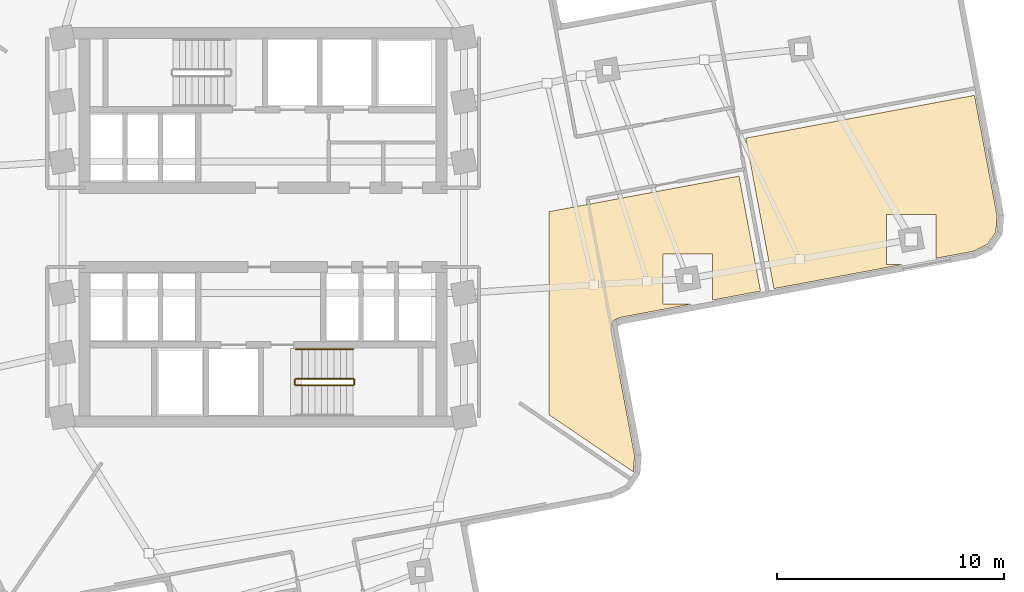
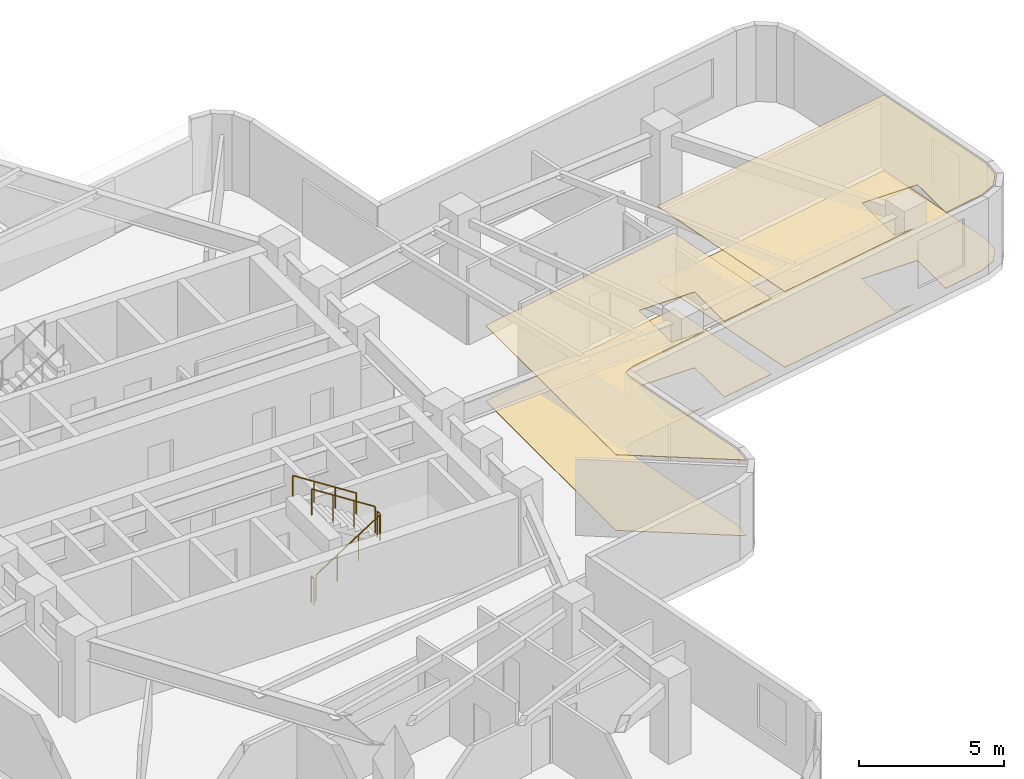
# One storey, part 11 of 12: 5 railings, 4 coverings.
"""IFC4 building model written with IfcOpenShell, lengths in metres."""

from ifc_helpers import new_model, si_unit, direction, frame, origin, origin_2d, place, context, subcontext, project, spatial, polyline, circle, outline, extrude, material, layer, layer_set, type_object, element, save


model = new_model("IFC4")

# Units and contexts
model_context = context("Model", 3, precision=1e-05, world=origin(), true_north=direction((0.0, 1.0)))
body_context = subcontext(model_context, "Body", "Model", "MODEL_VIEW")
ifc_project = project(units=[si_unit("LENGTHUNIT", "METRE"), si_unit("AREAUNIT", "SQUARE_METRE"), si_unit("VOLUMEUNIT", "CUBIC_METRE"), si_unit("PLANEANGLEUNIT", "RADIAN"), si_unit("MASSUNIT", "GRAM", prefix="KILO")], contexts=[model_context])

# Site, building, storey
site_placement = place(None, origin())
site = spatial("IfcSite", under=ifc_project, at=site_placement, CompositionType="ELEMENT")
building_placement = place(site_placement, origin())
building = spatial("IfcBuilding", under=site, at=building_placement, Name="Solmarez Civic Tower", CompositionType="ELEMENT")
storey_placement = place(building_placement, frame((0.0, 0.0, 103.679931640625)))
storey = spatial("IfcBuildingStorey", under=building, at=storey_placement, Name="L27", CompositionType="ELEMENT", Elevation=103.679931640625)

# Coverings
ifc_material_1 = material(Name="Perforated Mineral-Fibre Acoustic Ceiling")
ifc_layer_1 = layer(ifc_material_1, 0.02490234375)
ifc_layer_set_1 = layer_set([ifc_layer_1], Name="Perforated Mineral-Fibre Acoustic Ceiling")
covering_type_1 = type_object("IfcCoveringType", Name="COV-CEIL-ACOUSTIC", PredefinedType="CEILING", material=ifc_layer_set_1)
covering_1_placement = place(storey_placement, frame((0.0, 0.0, 3.175048828125)))
element("IfcCovering", 1, at=covering_1_placement, inside=storey, type_object=covering_type_1, Name="L27 Suspended Acoustic Ceiling 3", PredefinedType="CEILING", context=body_context, shape_type="SweptSolid", body=[
    extrude(outline(polyline([(12.60009765625, 0.68896484375), (12.60009765625, -8.260986328125), (16.322998046875, -10.781005859375), (16.326904296875, -10.77490234375), (16.381103515625, -10.069091796875), (15.35205078125, -4.56396484375), (15.35009765625, -4.554931640625), (15.34912109375, -4.548095703125), (15.346923828125, -4.51708984375), (15.346923828125, -4.5029296875), (15.347900390625, -4.486083984375), (15.361083984375, -4.31494140625), (15.362060546875, -4.304931640625), (15.363037109375, -4.297119140625), (15.364990234375, -4.280029296875), (15.368896484375, -4.263916015625), (15.37109375, -4.257080078125), (15.373046875, -4.25), (15.383056640625, -4.222900390625), (15.385986328125, -4.216064453125), (15.39697265625, -4.194091796875), (15.40087890625, -4.18701171875), (15.408935546875, -4.174072265625), (15.4130859375, -4.16796875), (15.427001953125, -4.14892578125), (15.431884765625, -4.14306640625), (15.43701171875, -4.136962890625), (15.450927734375, -4.1220703125), (15.467041015625, -4.10693359375), (15.47802734375, -4.09912109375), (15.493896484375, -4.0869140625), (15.511962890625, -4.075927734375), (15.533935546875, -4.06591796875), (15.68408203125, -3.992919921875), (15.701904296875, -3.985107421875), (15.722900390625, -3.97802734375), (15.73291015625, -3.97509765625), (15.739990234375, -3.972900390625), (15.760009765625, -3.968994140625), (18.952880859375, -3.37109375), (17.6240234375, -3.37109375), (17.6240234375, -1.1708984375), (19.823974609375, -1.1708984375), (19.823974609375, -3.2080078125), (21.931884765625, -2.81298828125), (20.98193359375, 2.258056640625), (12.60009765625, 0.68896484375)])), origin(), (0.0, 0.0, 1.0), 0.02490234375),
])
covering_2_placement = place(storey_placement, frame((0.0, 0.0, 3.175048828125)))
element("IfcCovering", 2, at=covering_2_placement, inside=storey, type_object=covering_type_1, Name="L27 Suspended Acoustic Ceiling 4", PredefinedType="CEILING", context=body_context, shape_type="SweptSolid", body=[
    extrude(outline(polyline([(22.52197265625, -2.702880859375), (28.239990234375, -1.633056640625), (27.47607421875, -1.633056640625), (27.47607421875, 0.56689453125), (29.676025390625, 0.56689453125), (29.676025390625, -1.364013671875), (31.2900390625, -1.06201171875), (31.928955078125, -0.756103515625), (32.305908203125, -0.205078125), (32.360107421875, 0.5009765625), (31.364990234375, 5.819091796875), (21.280029296875, 3.930908203125), (22.52197265625, -2.702880859375)])), origin(), (0.0, 0.0, 1.0), 0.02490234375),
])
ifc_material_2 = material(Name="Polished Tropical Stone Terrazzo Flooring", Category="masonry")
ifc_layer_2 = layer(ifc_material_2, 0.02001953125)
ifc_layer_set_2 = layer_set([ifc_layer_2], Name="Polished Tropical Stone Terrazzo Flooring")
covering_type_2 = type_object("IfcCoveringType", Name="COV-FLOOR-TERRAZZO", PredefinedType="FLOORING", material=ifc_layer_set_2)
covering_3_placement = place(storey_placement, origin())
element("IfcCovering", 3, at=covering_3_placement, inside=storey, type_object=covering_type_2, Name="L27 Terrazzo Floor Finish 3", PredefinedType="FLOORING", context=body_context, shape_type="SweptSolid", body=[
    extrude(outline(polyline([(12.60009765625, 0.68896484375), (12.60009765625, -8.260986328125), (16.322998046875, -10.781005859375), (16.326904296875, -10.77490234375), (16.381103515625, -10.069091796875), (15.35205078125, -4.56396484375), (15.35009765625, -4.554931640625), (15.34912109375, -4.548095703125), (15.346923828125, -4.51708984375), (15.346923828125, -4.5029296875), (15.347900390625, -4.486083984375), (15.361083984375, -4.31494140625), (15.362060546875, -4.304931640625), (15.363037109375, -4.297119140625), (15.364990234375, -4.280029296875), (15.368896484375, -4.263916015625), (15.37109375, -4.257080078125), (15.373046875, -4.25), (15.383056640625, -4.222900390625), (15.385986328125, -4.216064453125), (15.39697265625, -4.194091796875), (15.40087890625, -4.18701171875), (15.408935546875, -4.174072265625), (15.4130859375, -4.16796875), (15.427001953125, -4.14892578125), (15.431884765625, -4.14306640625), (15.43701171875, -4.136962890625), (15.450927734375, -4.1220703125), (15.467041015625, -4.10693359375), (15.47802734375, -4.09912109375), (15.493896484375, -4.0869140625), (15.511962890625, -4.075927734375), (15.533935546875, -4.06591796875), (15.68408203125, -3.992919921875), (15.701904296875, -3.985107421875), (15.722900390625, -3.97802734375), (15.73291015625, -3.97509765625), (15.739990234375, -3.972900390625), (15.760009765625, -3.968994140625), (18.952880859375, -3.37109375), (17.6240234375, -3.37109375), (17.6240234375, -1.1708984375), (19.823974609375, -1.1708984375), (19.823974609375, -3.2080078125), (21.931884765625, -2.81298828125), (20.98193359375, 2.258056640625), (12.60009765625, 0.68896484375)])), origin(), (0.0, 0.0, 1.0), 0.02001953125),
])
covering_4_placement = place(storey_placement, origin())
element("IfcCovering", 4, at=covering_4_placement, inside=storey, type_object=covering_type_2, Name="L27 Terrazzo Floor Finish 4", PredefinedType="FLOORING", context=body_context, shape_type="SweptSolid", body=[
    extrude(outline(polyline([(22.52197265625, -2.702880859375), (28.239990234375, -1.633056640625), (27.47607421875, -1.633056640625), (27.47607421875, 0.56689453125), (29.676025390625, 0.56689453125), (29.676025390625, -1.364013671875), (31.2900390625, -1.06201171875), (31.928955078125, -0.756103515625), (32.305908203125, -0.205078125), (32.360107421875, 0.5009765625), (31.364990234375, 5.819091796875), (21.280029296875, 3.930908203125), (22.52197265625, -2.702880859375)])), origin(), (0.0, 0.0, 1.0), 0.02001953125),
])

# Railings
ifc_material_3 = material(Name="Painted Steel Stairwell Safety Guard", Category="steel")
railing_type_1 = type_object("IfcRailingType", Name="GUARD-STAIR-1120", PredefinedType="BALUSTRADE", material=ifc_material_3)
railing_1_placement = place(storey_placement, frame((1.449951171875, -6.969970703125, 0.18017578125)))
element("IfcRailing", 5, at=railing_1_placement, inside=storey, type_object=railing_type_1, Name="L27 ST-2 stair guard 1", PredefinedType="BALUSTRADE", context=body_context, shape_type="SweptSolid", body=[
    extrude(circle(Radius=0.02392578125, at=origin_2d()), frame((0.0, 0.0, 1.09619140625), z_axis=(0.841199657755, 0.0, 0.540724639528), x_axis=(0.0, 1.0, 0.0)), (0.0, 0.0, 1.0), 2.995849609375),
    extrude(circle(Radius=0.02099609375, at=origin_2d()), origin(), (0.0, 0.0, 1.0), 1.072021484375),
    extrude(circle(Radius=0.02099609375, at=origin_2d()), frame((0.840087890625, 0.0, 0.5400390625)), (0.0, 0.0, 1.0), 1.072021484375),
    extrude(circle(Radius=0.02099609375, at=origin_2d()), frame((1.679931640625, 0.0, 1.079833984375)), (0.0, 0.0, 1.0), 1.072021484375),
    extrude(circle(Radius=0.02099609375, at=origin_2d()), frame((2.52001953125, 0.0, 1.619873046875)), (0.0, 0.0, 1.0), 1.072021484375),
])
railing_2_placement = place(storey_placement, frame((4.02001953125, -6.919921875, 1.800048828125)))
element("IfcRailing", 6, at=railing_2_placement, inside=storey, type_object=railing_type_1, Name="L27 ST-2 stair guard 2", PredefinedType="BALUSTRADE", context=body_context, shape_type="SweptSolid", body=[
    extrude(circle(Radius=0.02392578125, at=origin_2d()), frame((0.0, 0.0, 1.09619140625), z_axis=(0.0, 1.0, 0.0), x_axis=(-1.0, 0.0, 0.0)), (0.0, 0.0, 1.0), 0.199951171875),
    extrude(circle(Radius=0.02099609375, at=origin_2d()), origin(), (0.0, 0.0, 1.0), 1.072021484375),
    extrude(circle(Radius=0.02099609375, at=origin_2d()), frame((0.0, 0.199951171875, 0.0)), (0.0, 0.0, 1.0), 1.072021484375),
])
railing_3_placement = place(storey_placement, frame((3.969970703125, -6.669921875, 1.97998046875)))
element("IfcRailing", 7, at=railing_3_placement, inside=storey, type_object=railing_type_1, Name="L27 ST-2 stair guard 3", PredefinedType="BALUSTRADE", context=body_context, shape_type="SweptSolid", body=[
    extrude(circle(Radius=0.02392578125, at=origin_2d()), frame((0.0, 0.0, 1.09619140625), z_axis=(-0.841162588446, 0.0, 0.540782303519), x_axis=(0.0, -1.0, 0.0)), (0.0, 0.0, 1.0), 2.995849609375),
    extrude(circle(Radius=0.02099609375, at=origin_2d()), origin(), (0.0, 0.0, 1.0), 1.072021484375),
    extrude(circle(Radius=0.02099609375, at=origin_2d()), frame((-0.840087890625, 0.0, 0.5400390625)), (0.0, 0.0, 1.0), 1.072021484375),
    extrude(circle(Radius=0.02099609375, at=origin_2d()), frame((-1.679931640625, 0.0, 1.080078125)), (0.0, 0.0, 1.0), 1.072021484375),
    extrude(circle(Radius=0.02099609375, at=origin_2d()), frame((-2.52001953125, 0.0, 1.6201171875)), (0.0, 0.0, 1.0), 1.072021484375),
])
railing_4_placement = place(storey_placement, frame((1.39990234375, -6.919921875, 0.0)))
element("IfcRailing", 8, at=railing_4_placement, inside=storey, type_object=railing_type_1, Name="L27 ST-2 stair guard 4", PredefinedType="BALUSTRADE", context=body_context, shape_type="SweptSolid", body=[
    extrude(circle(Radius=0.02392578125, at=origin_2d()), frame((0.0, 0.0, 1.09619140625), z_axis=(0.0, 1.0, 0.0), x_axis=(-1.0, 0.0, 0.0)), (0.0, 0.0, 1.0), 0.199951171875),
    extrude(circle(Radius=0.02099609375, at=origin_2d()), origin(), (0.0, 0.0, 1.0), 1.072021484375),
    extrude(circle(Radius=0.02099609375, at=origin_2d()), frame((0.0, 0.199951171875, 0.0)), (0.0, 0.0, 1.0), 1.072021484375),
])
ifc_material_4 = material(Name="Brushed Stainless Steel Tube Handrail", Category="steel")
railing_type_2 = type_object("IfcRailingType", Name="HANDRAIL-STAIR-900", PredefinedType="HANDRAIL", material=ifc_material_4)
railing_5_placement = place(storey_placement, frame((3.969970703125, -5.3701171875, 1.97998046875)))
element("IfcRailing", 9, at=railing_5_placement, inside=storey, type_object=railing_type_2, Name="L27 ST-2 stair handrail 2", PredefinedType="HANDRAIL", context=body_context, shape_type="SweptSolid", body=[
    extrude(circle(Radius=0.02392578125, at=origin_2d()), frame((0.0, 0.0, 0.8759765625), z_axis=(-0.841162588446, 0.0, 0.540782303519), x_axis=(0.0, -1.0, 0.0)), (0.0, 0.0, 1.0), 2.995849609375),
    extrude(circle(Radius=0.02099609375, at=origin_2d()), origin(), (0.0, 0.0, 1.0), 0.851806640625),
    extrude(circle(Radius=0.02099609375, at=origin_2d()), frame((-0.840087890625, 0.0, 0.5400390625)), (0.0, 0.0, 1.0), 0.851806640625),
    extrude(circle(Radius=0.02099609375, at=origin_2d()), frame((-1.679931640625, 0.0, 1.080078125)), (0.0, 0.0, 1.0), 0.851806640625),
    extrude(circle(Radius=0.02099609375, at=origin_2d()), frame((-2.52001953125, 0.0, 1.6201171875)), (0.0, 0.0, 1.0), 0.851806640625),
])

save(model, "model.ifc")
